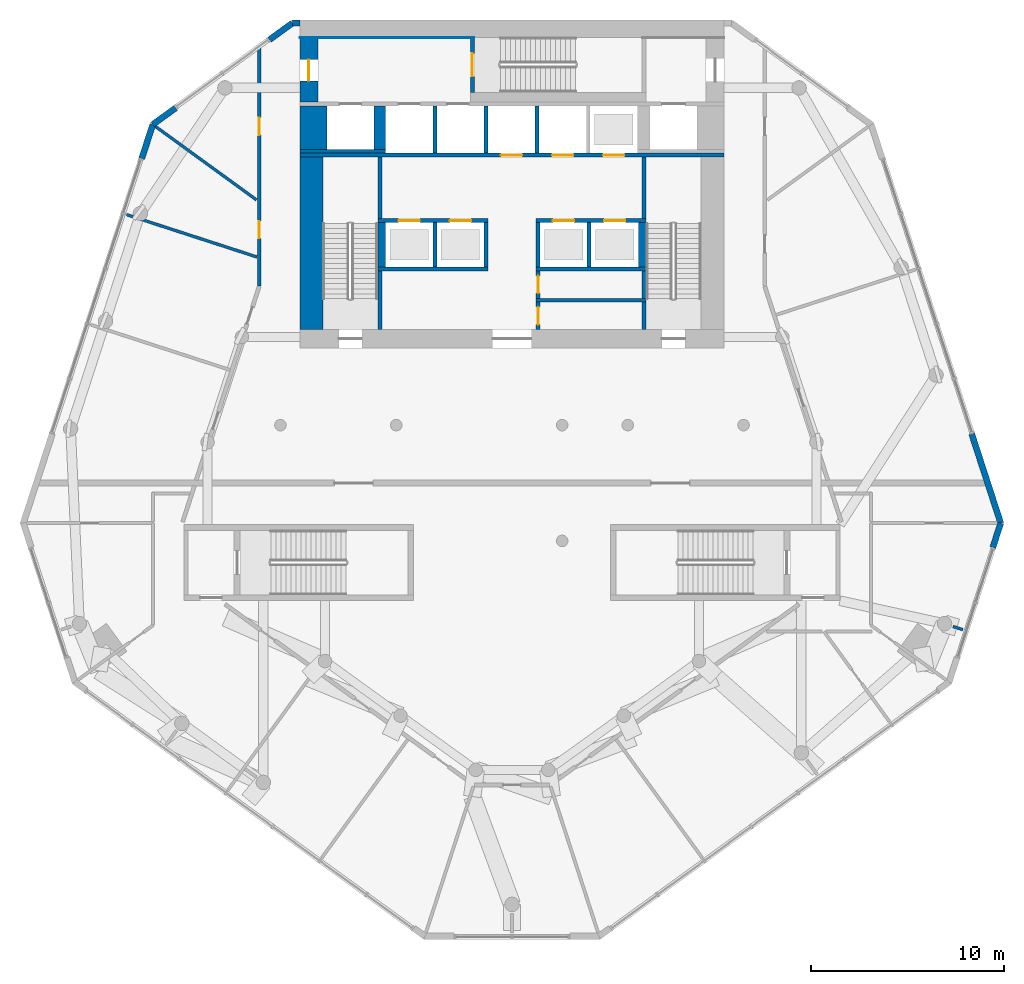
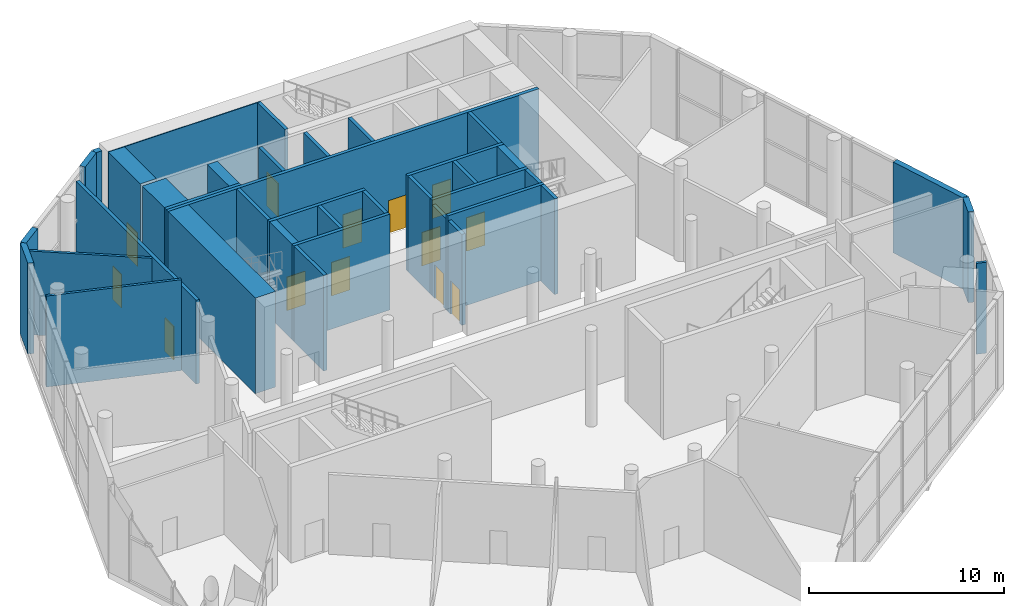
# One storey, part 9 of 14: 39 walls, 13 doors, 13 openings.
"""IFC4 building model written with IfcOpenShell, lengths in metres."""

from ifc_helpers import new_model, si_unit, direction, frame, frame_2d, origin, place, context, subcontext, project, spatial, rectangle, extrude, material, layer, layer_set, type_object, element, fill, save


model = new_model("IFC4")

# Units and contexts
model_context = context("Model", 3, precision=1e-05, world=origin(), true_north=direction((0.0, 1.0)))
body_context = subcontext(model_context, "Body", "Model", "MODEL_VIEW")
ifc_project = project(units=[si_unit("LENGTHUNIT", "METRE"), si_unit("AREAUNIT", "SQUARE_METRE"), si_unit("VOLUMEUNIT", "CUBIC_METRE"), si_unit("PLANEANGLEUNIT", "RADIAN"), si_unit("MASSUNIT", "GRAM", prefix="KILO")], contexts=[model_context])

# Site, building, storey
site_placement = place(None, origin())
site = spatial("IfcSite", under=ifc_project, at=site_placement, CompositionType="ELEMENT")
building_placement = place(site_placement, origin())
building = spatial("IfcBuilding", under=site, at=building_placement, Name="White Candle Pilgrim Tower", CompositionType="ELEMENT")
storey_placement = place(building_placement, frame((0.0, 0.0, 142.60009765625)))
storey = spatial("IfcBuildingStorey", under=building, at=storey_placement, Name="L32", CompositionType="ELEMENT", Elevation=142.60009765625)

# Walls
ifc_material_1 = material(Name="Concrete C60/75", Category="concrete")
ifc_layer_1 = layer(ifc_material_1, 1.39990234375)
ifc_layer_set_1 = layer_set([ifc_layer_1], Name="Core wall 1400 mm Concrete C60/75")
wall_type_1 = type_object("IfcWallType", Name="Core wall 1400 mm Concrete C60/75", PredefinedType="SHEAR", material=ifc_layer_set_1)
wall_1_placement = place(storey_placement, frame((59.699951171875, 81.300048828125, 0.0), z_axis=(0.0, 0.0, 1.0), x_axis=(0.0, 1.0, 0.0)))
element("IfcWall", 1, at=wall_1_placement, inside=storey, type_object=wall_type_1, Name="WL-L32-C39", PredefinedType="SHEAR", context=body_context, shape_type="SweptSolid", body=[
    extrude(rectangle(XDim=2.25, YDim=1.39990234375, at=frame_2d((1.125, 0.0))), origin(), (0.0, 0.0, 1.0), 6.0),
])
ifc_layer_2 = layer(ifc_material_1, 0.199951171875)
ifc_layer_set_2 = layer_set([ifc_layer_2], Name="Core wall 200 mm Concrete C60/75")
wall_type_2 = type_object("IfcWallType", Name="Core wall 200 mm Concrete C60/75", PredefinedType="SHEAR", material=ifc_layer_set_2)
wall_2_placement = place(storey_placement, frame((59.0, 81.199951171875, 0.0), z_axis=(0.0, 0.0, 1.0), x_axis=(1.0, 0.0, 0.0)))
element("IfcWall", 2, at=wall_2_placement, inside=storey, type_object=wall_type_2, Name="WL-L32-C33", PredefinedType="SHEAR", context=body_context, shape_type="SweptSolid", body=[
    extrude(rectangle(XDim=4.449951171875, YDim=0.199951171875, at=frame_2d((2.22509765625, 0.0))), origin(), (0.0, 0.0, 1.0), 6.0),
])

# Wall, opening, door
ifc_layer_3 = layer(ifc_material_1, 0.949951171875)
ifc_layer_set_3 = layer_set([ifc_layer_3], Name="Core wall 950 mm Concrete C60/75")
wall_type_3 = type_object("IfcWallType", Name="Core wall 950 mm Concrete C60/75", PredefinedType="SHEAR", material=ifc_layer_set_3)
wall_3_placement = place(storey_placement, frame((59.47509765625, 83.75, 0.0), z_axis=(0.0, 0.0, 1.0), x_axis=(0.0, 1.0, 0.0)))
wall_3 = element("IfcWall", 3, at=wall_3_placement, inside=storey, type_object=wall_type_3, Name="WL-L32-C44", PredefinedType="SHEAR", context=body_context, shape_type="SweptSolid", body=[
    extrude(rectangle(XDim=3.300048828125, YDim=0.949951171875, at=frame_2d((1.64990234375, 0.0))), origin(), (0.0, 0.0, 1.0), 6.0),
])
opening_1_placement = place(wall_3_placement, frame((1.10009765625, 0.0, 0.0)))
opening_1 = element("IfcOpeningElement", 4, at=opening_1_placement, cuts=wall_3, Name="Opening L32-007", PredefinedType="OPENING", context=body_context, shape_type="SweptSolid", body=[
    extrude(rectangle(XDim=1.10009765625, YDim=2.10009765625, at=frame_2d((0.550048828125, 1.050048828125))), frame((0.0, 0.48486328125, 0.0), z_axis=(0.0, -1.0, 0.0), x_axis=(1.0, 0.0, 0.0)), (0.0, 0.0, 1.0), 0.969970703125),
])
ifc_material_2 = material(Name="Steel door leaf", Category="steel")
door_type_1 = type_object("IfcDoorType", Name="Fire door 1100 x 2100 EI 60", OperationType="NOTDEFINED", PredefinedType="DOOR", material=ifc_material_2)
door_1_placement = place(opening_1_placement, origin())
door_1 = element("IfcDoor", 5, at=door_1_placement, inside=storey, type_object=door_type_1, Name="Door L32-007", OperationType="SINGLE_SWING_LEFT", OverallHeight=2.10009765625, OverallWidth=1.10009765625, PredefinedType="DOOR", context=body_context, shape_type="SweptSolid", body=[
    extrude(rectangle(XDim=1.10009765625, YDim=2.10009765625, at=frame_2d((0.550048828125, 1.050048828125))), frame((0.0, 0.02490234375, 0.0), z_axis=(0.0, -1.0, 0.0), x_axis=(1.0, 0.0, 0.0)), (0.0, 0.0, 1.0), 0.050048828125),
])
fill(opening_1, door_1)

# Wall, openings, doors
ifc_material_3 = material(Name="Gypsum board on steel studs", Category="steel")
ifc_layer_4 = layer(ifc_material_3, 0.199951171875)
ifc_layer_set_4 = layer_set([ifc_layer_4], Name="Corridor wall 200 mm EI 45")
wall_type_4 = type_object("IfcWallType", Name="Corridor wall 200 mm EI 45", PredefinedType="PARTITIONING", material=ifc_layer_set_4)
wall_4_placement = place(storey_placement, frame((56.89990234375, 74.218017578125, 0.0), z_axis=(0.0, 0.0, 1.0), x_axis=(0.0, 1.0, 0.0)))
wall_4 = element("IfcWall", 6, at=wall_4_placement, inside=storey, type_object=wall_type_4, Name="WL-L32-P002", PredefinedType="PARTITIONING", context=body_context, shape_type="SweptSolid", body=[
    extrude(rectangle(XDim=12.319091796875, YDim=0.199951171875, at=frame_2d((6.15966796875, 0.0))), origin(), (0.0, 0.0, 1.0), 5.25),
])
opening_2_placement = place(wall_4_placement, frame((7.81640625, 0.0, 0.0)))
opening_2 = element("IfcOpeningElement", 7, at=opening_2_placement, cuts=wall_4, Name="Opening L32-101", PredefinedType="OPENING", context=body_context, shape_type="SweptSolid", body=[
    extrude(rectangle(XDim=0.89990234375, YDim=2.10009765625, at=frame_2d((0.449951171875, 1.050048828125))), frame((0.0, 0.10986328125, 0.0), z_axis=(0.0, -1.0, 0.0), x_axis=(1.0, 0.0, 0.0)), (0.0, 0.0, 1.0), 0.219970703125),
])
opening_3_placement = place(wall_4_placement, frame((2.456787109375, 0.0, 0.0)))
opening_3 = element("IfcOpeningElement", 8, at=opening_3_placement, cuts=wall_4, Name="Opening L32-102", PredefinedType="OPENING", context=body_context, shape_type="SweptSolid", body=[
    extrude(rectangle(XDim=0.89990234375, YDim=2.10009765625, at=frame_2d((0.449951171875, 1.050048828125))), frame((0.0, 0.10986328125, 0.0), z_axis=(0.0, -1.0, 0.0), x_axis=(1.0, 0.0, 0.0)), (0.0, 0.0, 1.0), 0.219970703125),
])
door_type_2 = type_object("IfcDoorType", Name="Fire door 900 x 2100 EI 30", OperationType="NOTDEFINED", PredefinedType="DOOR", material=ifc_material_2)
door_2_placement = place(opening_2_placement, origin())
door_2 = element("IfcDoor", 9, at=door_2_placement, inside=storey, type_object=door_type_2, Name="Door L32-101", OperationType="SINGLE_SWING_LEFT", OverallHeight=2.10009765625, OverallWidth=0.89990234375, PredefinedType="DOOR", context=body_context, shape_type="SweptSolid", body=[
    extrude(rectangle(XDim=0.89990234375, YDim=2.10009765625, at=frame_2d((0.449951171875, 1.050048828125))), frame((0.0, 0.02490234375, 0.0), z_axis=(0.0, -1.0, 0.0), x_axis=(1.0, 0.0, 0.0)), (0.0, 0.0, 1.0), 0.050048828125),
])
fill(opening_2, door_2)
door_3_placement = place(opening_3_placement, origin())
door_3 = element("IfcDoor", 10, at=door_3_placement, inside=storey, type_object=door_type_2, Name="Door L32-102", OperationType="SINGLE_SWING_RIGHT", OverallHeight=2.10009765625, OverallWidth=0.89990234375, PredefinedType="DOOR", context=body_context, shape_type="SweptSolid", body=[
    extrude(rectangle(XDim=0.89990234375, YDim=2.10009765625, at=frame_2d((0.449951171875, 1.050048828125))), frame((0.0, 0.02490234375, 0.0), z_axis=(0.0, -1.0, 0.0), x_axis=(1.0, 0.0, 0.0)), (0.0, 0.0, 1.0), 0.050048828125),
])
fill(opening_3, door_3)

# Walls
ifc_material_4 = material(Name="Precast concrete C40/50", Category="concrete")
ifc_layer_5 = layer(ifc_material_4, 0.320068359375)
ifc_layer_set_5 = layer_set([ifc_layer_5], Name="Facade wall EW1 precast concrete C40/50 pier wall with timber-lined reveals")
wall_type_5 = type_object("IfcWallType", Name="Facade wall EW1 precast concrete C40/50 pier wall with timber-lined reveals", PredefinedType="SOLIDWALL", material=ifc_layer_set_5)
wall_5_placement = place(storey_placement, frame((94.921875, 60.6552734375, 0.0), z_axis=(0.0, 0.0, 1.0), x_axis=(0.309015617768, 0.951056963581, 0.0)))
element("IfcWall", 11, at=wall_5_placement, inside=storey, type_object=wall_type_5, Name="Facade wall L32 E chamfer", PredefinedType="SOLIDWALL", context=body_context, shape_type="SweptSolid", body=[
    extrude(rectangle(XDim=1.33203125, YDim=0.320068359375, at=frame_2d((0.666015625, 0.0))), origin(), (0.0, 0.0, 1.0), 5.699951171875),
])
wall_6_placement = place(storey_placement, frame((95.33349609375, 61.922119140625, 0.0), z_axis=(0.0, 0.0, 1.0), x_axis=(-0.309003189113, 0.951061001786, 0.0)))
element("IfcWall", 12, at=wall_6_placement, inside=storey, type_object=wall_type_5, Name="Facade wall L32 ENE", PredefinedType="SOLIDWALL", context=body_context, shape_type="SweptSolid", body=[
    extrude(rectangle(XDim=4.8623046875, YDim=0.320068359375, at=frame_2d((2.43115234375, 0.0))), origin(), (0.0, 0.0, 1.0), 5.699951171875),
])
wall_7_placement = place(storey_placement, frame((59.0, 87.840087890625, 0.0), z_axis=(0.0, 0.0, 1.0), x_axis=(-1.0, 0.0, 0.0)))
element("IfcWall", 13, at=wall_7_placement, inside=storey, type_object=wall_type_5, Name="Facade wall L32 N", PredefinedType="SOLIDWALL", context=body_context, shape_type="SweptSolid", body=[
    extrude(rectangle(XDim=0.385009765625, YDim=0.320068359375, at=frame_2d((0.1923828125, 0.0))), origin(), (0.0, 0.0, 1.0), 5.699951171875),
])
for number, where, z_axis, x_axis, name in (
    (14, (58.614990234375, 87.840087890625, 0.0), (0.0, 0.0, 1.0), (-0.809044438397, -0.587747476982, 0.0), "Facade wall L32 NW chamfer"),
    (15, (52.5703125, 83.4482421875, 0.0), (0.0, 0.0, 1.0), (-0.809044438397, -0.587747476982, 0.0), "Facade wall L32 NW chamfer"),
):
    element("IfcWall", number, at=place(storey_placement, frame(where, z_axis=z_axis, x_axis=x_axis)), inside=storey, type_object=wall_type_5, Name=name, PredefinedType="SOLIDWALL", context=body_context, shape_type="SweptSolid", body=[
        extrude(rectangle(XDim=1.4716796875, YDim=0.320068359375, at=frame_2d((0.73583984375, 0.0))), origin(), (0.0, 0.0, 1.0), 5.699951171875),
    ])
wall_8_placement = place(storey_placement, frame((51.379638671875, 82.583251953125, 0.0), z_axis=(0.0, 0.0, 1.0), x_axis=(-0.309020851273, -0.951055263104, 0.0)))
element("IfcWall", 16, at=wall_8_placement, inside=storey, type_object=wall_type_5, Name="Facade wall L32 WNW", PredefinedType="SOLIDWALL", context=body_context, shape_type="SweptSolid", body=[
    extrude(rectangle(XDim=1.862060546875, YDim=0.320068359375, at=frame_2d((0.93115234375, 0.0))), origin(), (0.0, 0.0, 1.0), 5.699951171875),
])

# Wall, opening, door
ifc_layer_6 = layer(ifc_material_3, 0.199951171875)
ifc_layer_set_6 = layer_set([ifc_layer_6], Name="Lobby wall 200 mm EI 60")
wall_type_6 = type_object("IfcWallType", Name="Lobby wall 200 mm EI 60", PredefinedType="PARTITIONING", material=ifc_layer_set_6)
wall_9_placement = place(storey_placement, frame((71.35009765625, 71.949951171875, 0.0), z_axis=(0.0, 0.0, 1.0), x_axis=(0.0, 1.0, 0.0)))
wall_9 = element("IfcWall", 17, at=wall_9_placement, inside=storey, type_object=wall_type_6, Name="WL-L32-C14", PredefinedType="PARTITIONING", context=body_context, shape_type="SweptSolid", body=[
    extrude(rectangle(XDim=1.425048828125, YDim=0.199951171875, at=frame_2d((0.71240234375, 0.0))), origin(), (0.0, 0.0, 1.0), 5.699951171875),
])
opening_4_placement = place(wall_9_placement, frame((0.262451171875, 0.0, 0.0)))
opening_4 = element("IfcOpeningElement", 18, at=opening_4_placement, cuts=wall_9, Name="Opening L32-005", PredefinedType="OPENING", context=body_context, shape_type="SweptSolid", body=[
    extrude(rectangle(XDim=0.89990234375, YDim=2.10009765625, at=frame_2d((0.449951171875, 1.050048828125))), frame((0.0, 0.10986328125, 0.0), z_axis=(0.0, -1.0, 0.0), x_axis=(1.0, 0.0, 0.0)), (0.0, 0.0, 1.0), 0.219970703125),
])
door_4_placement = place(opening_4_placement, origin())
door_4 = element("IfcDoor", 19, at=door_4_placement, inside=storey, type_object=door_type_2, Name="Door L32-005", OperationType="SINGLE_SWING_LEFT", OverallHeight=2.10009765625, OverallWidth=0.89990234375, PredefinedType="DOOR", context=body_context, shape_type="SweptSolid", body=[
    extrude(rectangle(XDim=0.89990234375, YDim=2.10009765625, at=frame_2d((0.449951171875, 1.050048828125))), frame((0.0, 0.02490234375, 0.0), z_axis=(0.0, -1.0, 0.0), x_axis=(1.0, 0.0, 0.0)), (0.0, 0.0, 1.0), 0.050048828125),
])
fill(opening_4, door_4)

wall_10_placement = place(storey_placement, frame((71.35009765625, 73.574951171875, 0.0), z_axis=(0.0, 0.0, 1.0), x_axis=(0.0, 1.0, 0.0)))
wall_10 = element("IfcWall", 20, at=wall_10_placement, inside=storey, type_object=wall_type_6, Name="WL-L32-C18", PredefinedType="PARTITIONING", context=body_context, shape_type="SweptSolid", body=[
    extrude(rectangle(XDim=1.425048828125, YDim=0.199951171875, at=frame_2d((0.71240234375, 0.0))), origin(), (0.0, 0.0, 1.0), 5.699951171875),
])
opening_5_placement = place(wall_10_placement, frame((0.262451171875, 0.0, 0.0)))
opening_5 = element("IfcOpeningElement", 21, at=opening_5_placement, cuts=wall_10, Name="Opening L32-006", PredefinedType="OPENING", context=body_context, shape_type="SweptSolid", body=[
    extrude(rectangle(XDim=0.89990234375, YDim=2.10009765625, at=frame_2d((0.449951171875, 1.050048828125))), frame((0.0, 0.10986328125, 0.0), z_axis=(0.0, -1.0, 0.0), x_axis=(1.0, 0.0, 0.0)), (0.0, 0.0, 1.0), 0.219970703125),
])
door_5_placement = place(opening_5_placement, origin())
door_5 = element("IfcDoor", 22, at=door_5_placement, inside=storey, type_object=door_type_2, Name="Door L32-006", OperationType="SINGLE_SWING_RIGHT", OverallHeight=2.10009765625, OverallWidth=0.89990234375, PredefinedType="DOOR", context=body_context, shape_type="SweptSolid", body=[
    extrude(rectangle(XDim=0.89990234375, YDim=2.10009765625, at=frame_2d((0.449951171875, 1.050048828125))), frame((0.0, 0.02490234375, 0.0), z_axis=(0.0, -1.0, 0.0), x_axis=(1.0, 0.0, 0.0)), (0.0, 0.0, 1.0), 0.050048828125),
])
fill(opening_5, door_5)

# Walls
ifc_layer_7 = layer(ifc_material_3, 0.14990234375)
ifc_layer_set_7 = layer_set([ifc_layer_7], Name="Partition 150 mm EI 60")
wall_type_7 = type_object("IfcWallType", Name="Partition 150 mm EI 60", PredefinedType="PARTITIONING", material=ifc_layer_set_7)
wall_11_placement = place(storey_placement, frame((51.515869140625, 82.484375, 0.0), z_axis=(0.0, 0.0, 1.0), x_axis=(0.80901309186, -0.587790623606, 0.0)))
element("IfcWall", 23, at=wall_11_placement, inside=storey, type_object=wall_type_7, Name="WL-L32-P011", PredefinedType="PARTITIONING", context=body_context, shape_type="SweptSolid", body=[
    extrude(rectangle(XDim=6.47705078125, YDim=0.14990234375, at=frame_2d((3.238525390625, 0.0))), origin(), (0.0, 0.0, 1.0), 5.25),
])
wall_12_placement = place(storey_placement, frame((50.029296875, 77.90966796875, 0.0), z_axis=(0.0, 0.0, 1.0), x_axis=(0.951057836712, -0.309012930519, 0.0)))
element("IfcWall", 24, at=wall_12_placement, inside=storey, type_object=wall_type_7, Name="WL-L32-P019", PredefinedType="PARTITIONING", context=body_context, shape_type="SweptSolid", body=[
    extrude(rectangle(XDim=7.0947265625, YDim=0.14990234375, at=frame_2d((3.54736328125, 0.0))), origin(), (0.0, 0.0, 1.0), 5.699951171875),
])
wall_13_placement = place(storey_placement, frame((92.861083984375, 56.56298828125, 0.0), z_axis=(0.0, 0.0, 1.0), x_axis=(0.950983778631, -0.309240768303, 0.0)))
element("IfcWall", 25, at=wall_13_placement, inside=storey, type_object=wall_type_7, Name="WL-L32-P031", PredefinedType="PARTITIONING", context=body_context, shape_type="SweptSolid", body=[
    extrude(rectangle(XDim=0.53515625, YDim=0.14990234375, at=frame_2d((0.267578125, 0.0))), origin(), (0.0, 0.0, 1.0), 5.699951171875),
])
ifc_layer_8 = layer(ifc_material_1, 0.199951171875)
ifc_layer_set_8 = layer_set([ifc_layer_8], Name="Shaft wall 200 mm Concrete C60/75")
wall_type_8 = type_object("IfcWallType", Name="Shaft wall 200 mm Concrete C60/75", PredefinedType="SHEAR", material=ifc_layer_set_8)
for number, where, z_axis, x_axis, name in (
    (26, (66.0, 75.199951171875, 0.0), (0.0, 0.0, 1.0), (0.0, 1.0, 0.0), "WL-L32-C23"),
    (27, (68.64990234375, 75.199951171875, 0.0), (0.0, 0.0, 1.0), (0.0, 1.0, 0.0), "WL-L32-C24"),
    (28, (71.35009765625, 75.199951171875, 0.0), (0.0, 0.0, 1.0), (0.0, 1.0, 0.0), "WL-L32-C25"),
    (29, (74.0, 75.199951171875, 0.0), (0.0, 0.0, 1.0), (0.0, 1.0, 0.0), "WL-L32-C26"),
):
    element("IfcWall", number, at=place(storey_placement, frame(where, z_axis=z_axis, x_axis=x_axis)), inside=storey, type_object=wall_type_8, Name=name, PredefinedType="SHEAR", context=body_context, shape_type="SweptSolid", body=[
        extrude(rectangle(XDim=2.300048828125, YDim=0.199951171875, at=frame_2d((1.14990234375, 0.0))), origin(), (0.0, 0.0, 1.0), 6.0),
    ])
for number, where, z_axis, x_axis, name in (
    (30, (66.0, 81.10009765625, 0.0), (0.0, 0.0, 1.0), (0.0, 1.0, 0.0), "WL-L32-C34"),
    (31, (68.64990234375, 81.10009765625, 0.0), (0.0, 0.0, 1.0), (0.0, 1.0, 0.0), "WL-L32-C35"),
    (32, (71.300048828125, 81.10009765625, 0.0), (0.0, 0.0, 1.0), (0.0, 1.0, 0.0), "WL-L32-C36"),
):
    element("IfcWall", number, at=place(storey_placement, frame(where, z_axis=z_axis, x_axis=x_axis)), inside=storey, type_object=wall_type_8, Name=name, PredefinedType="SHEAR", context=body_context, shape_type="SweptSolid", body=[
        extrude(rectangle(XDim=2.449951171875, YDim=0.199951171875, at=frame_2d((1.22509765625, 0.0))), origin(), (0.0, 0.0, 1.0), 6.0),
    ])
ifc_layer_9 = layer(ifc_material_1, 0.60009765625)
ifc_layer_set_9 = layer_set([ifc_layer_9], Name="Shaft wall 600 mm Concrete C60/75")
wall_type_9 = type_object("IfcWallType", Name="Shaft wall 600 mm Concrete C60/75", PredefinedType="SHEAR", material=ifc_layer_set_9)
wall_14_placement = place(storey_placement, frame((63.14990234375, 81.300048828125, 0.0), z_axis=(0.0, 0.0, 1.0), x_axis=(0.0, 1.0, 0.0)))
element("IfcWall", 33, at=wall_14_placement, inside=storey, type_object=wall_type_9, Name="WL-L32-C40", PredefinedType="SHEAR", context=body_context, shape_type="SweptSolid", body=[
    extrude(rectangle(XDim=2.25, YDim=0.60009765625, at=frame_2d((1.125, 0.0))), origin(), (0.0, 0.0, 1.0), 6.0),
])
ifc_layer_10 = layer(ifc_material_1, 1.199951171875)
ifc_layer_set_10 = layer_set([ifc_layer_10], Name="Stair shaft wall 1200 mm Concrete C60/75")
wall_type_10 = type_object("IfcWallType", Name="Stair shaft wall 1200 mm Concrete C60/75", PredefinedType="SHEAR", material=ifc_layer_set_10)
wall_15_placement = place(storey_placement, frame((59.60009765625, 71.949951171875, 0.0), z_axis=(0.0, 0.0, 1.0), x_axis=(0.0, 1.0, 0.0)))
element("IfcWall", 34, at=wall_15_placement, inside=storey, type_object=wall_type_10, Name="WL-L32-C12", PredefinedType="SHEAR", context=body_context, shape_type="SweptSolid", body=[
    extrude(rectangle(XDim=8.949951171875, YDim=1.199951171875, at=frame_2d((4.47509765625, 0.0))), origin(), (0.0, 0.0, 1.0), 6.0),
])
ifc_layer_11 = layer(ifc_material_1, 0.199951171875)
ifc_layer_set_11 = layer_set([ifc_layer_11], Name="Stair shaft wall 200 mm Concrete C60/75")
wall_type_11 = type_object("IfcWallType", Name="Stair shaft wall 200 mm Concrete C60/75", PredefinedType="SHEAR", material=ifc_layer_set_11)
wall_16_placement = place(storey_placement, frame((63.14990234375, 71.949951171875, 0.0), z_axis=(0.0, 0.0, 1.0), x_axis=(0.0, 1.0, 0.0)))
element("IfcWall", 35, at=wall_16_placement, inside=storey, type_object=wall_type_11, Name="WL-L32-C13", PredefinedType="SHEAR", context=body_context, shape_type="SweptSolid", body=[
    extrude(rectangle(XDim=3.050048828125, YDim=0.199951171875, at=frame_2d((1.52490234375, 0.0))), origin(), (0.0, 0.0, 1.0), 6.0),
])
wall_17_placement = place(storey_placement, frame((76.85009765625, 71.949951171875, 0.0), z_axis=(0.0, 0.0, 1.0), x_axis=(0.0, 1.0, 0.0)))
element("IfcWall", 36, at=wall_17_placement, inside=storey, type_object=wall_type_11, Name="WL-L32-C15", PredefinedType="SHEAR", context=body_context, shape_type="SweptSolid", body=[
    extrude(rectangle(XDim=1.425048828125, YDim=0.199951171875, at=frame_2d((0.71240234375, 0.0))), origin(), (0.0, 0.0, 1.0), 6.0),
])
wall_18_placement = place(storey_placement, frame((71.25, 73.47509765625, 0.0), z_axis=(0.0, 0.0, 1.0), x_axis=(1.0, 0.0, 0.0)))
element("IfcWall", 37, at=wall_18_placement, inside=storey, type_object=wall_type_11, Name="WL-L32-C17", PredefinedType="SHEAR", context=body_context, shape_type="SweptSolid", body=[
    extrude(rectangle(XDim=5.699951171875, YDim=0.199951171875, at=frame_2d((2.85009765625, 0.0))), origin(), (0.0, 0.0, 1.0), 6.0),
])
wall_19_placement = place(storey_placement, frame((76.85009765625, 73.574951171875, 0.0), z_axis=(0.0, 0.0, 1.0), x_axis=(0.0, 1.0, 0.0)))
element("IfcWall", 38, at=wall_19_placement, inside=storey, type_object=wall_type_11, Name="WL-L32-C19", PredefinedType="SHEAR", context=body_context, shape_type="SweptSolid", body=[
    extrude(rectangle(XDim=1.425048828125, YDim=0.199951171875, at=frame_2d((0.71240234375, 0.0))), origin(), (0.0, 0.0, 1.0), 6.0),
])
for number, where, z_axis, x_axis, name in (
    (39, (63.050048828125, 75.10009765625, 0.0), (0.0, 0.0, 1.0), (1.0, 0.0, 0.0), "WL-L32-C20"),
    (40, (71.25, 75.10009765625, 0.0), (0.0, 0.0, 1.0), (1.0, 0.0, 0.0), "WL-L32-C21"),
):
    element("IfcWall", number, at=place(storey_placement, frame(where, z_axis=z_axis, x_axis=x_axis)), inside=storey, type_object=wall_type_11, Name=name, PredefinedType="SHEAR", context=body_context, shape_type="SweptSolid", body=[
        extrude(rectangle(XDim=5.699951171875, YDim=0.199951171875, at=frame_2d((2.85009765625, 0.0))), origin(), (0.0, 0.0, 1.0), 6.0),
    ])

# Wall, openings, doors
wall_20_placement = place(storey_placement, frame((63.050048828125, 77.60009765625, 0.0), z_axis=(0.0, 0.0, 1.0), x_axis=(1.0, 0.0, 0.0)))
wall_20 = element("IfcWall", 41, at=wall_20_placement, inside=storey, type_object=wall_type_11, Name="WL-L32-C28", PredefinedType="SHEAR", context=body_context, shape_type="SweptSolid", body=[
    extrude(rectangle(XDim=5.699951171875, YDim=0.199951171875, at=frame_2d((2.85009765625, 0.0))), origin(), (0.0, 0.0, 1.0), 6.0),
])
opening_6_placement = place(wall_20_placement, frame((1.074951171875, 0.0, 0.0)))
opening_6 = element("IfcOpeningElement", 42, at=opening_6_placement, cuts=wall_20, Name="Opening L32-013", PredefinedType="OPENING", context=body_context, shape_type="SweptSolid", body=[
    extrude(rectangle(XDim=1.10009765625, YDim=2.10009765625, at=frame_2d((0.550048828125, 1.050048828125))), frame((0.0, 0.10986328125, 0.0), z_axis=(0.0, -1.0, 0.0), x_axis=(1.0, 0.0, 0.0)), (0.0, 0.0, 1.0), 0.219970703125),
])
opening_7_placement = place(wall_20_placement, frame((3.72509765625, 0.0, 0.0)))
opening_7 = element("IfcOpeningElement", 43, at=opening_7_placement, cuts=wall_20, Name="Opening L32-014", PredefinedType="OPENING", context=body_context, shape_type="SweptSolid", body=[
    extrude(rectangle(XDim=1.10009765625, YDim=2.10009765625, at=frame_2d((0.550048828125, 1.050048828125))), frame((0.0, 0.10986328125, 0.0), z_axis=(0.0, -1.0, 0.0), x_axis=(1.0, 0.0, 0.0)), (0.0, 0.0, 1.0), 0.219970703125),
])
ifc_material_5 = material(Name="Stainless steel", Category="steel")
door_type_3 = type_object("IfcDoorType", Name="Lift landing door 1100 x 2100 E 60", OperationType="DOUBLE_DOOR_SLIDING", PredefinedType="DOOR", material=ifc_material_5)
door_6_placement = place(opening_6_placement, origin())
door_6 = element("IfcDoor", 44, at=door_6_placement, inside=storey, type_object=door_type_3, Name="Door L32-013", OperationType="DOUBLE_DOOR_SLIDING", OverallHeight=2.10009765625, OverallWidth=1.10009765625, PredefinedType="DOOR", context=body_context, shape_type="SweptSolid", body=[
    extrude(rectangle(XDim=1.10009765625, YDim=2.10009765625, at=frame_2d((0.550048828125, 1.050048828125))), frame((0.0, 0.02490234375, 0.0), z_axis=(0.0, -1.0, 0.0), x_axis=(1.0, 0.0, 0.0)), (0.0, 0.0, 1.0), 0.050048828125),
])
fill(opening_6, door_6)
door_7_placement = place(opening_7_placement, origin())
door_7 = element("IfcDoor", 45, at=door_7_placement, inside=storey, type_object=door_type_3, Name="Door L32-014", OperationType="DOUBLE_DOOR_SLIDING", OverallHeight=2.10009765625, OverallWidth=1.10009765625, PredefinedType="DOOR", context=body_context, shape_type="SweptSolid", body=[
    extrude(rectangle(XDim=1.10009765625, YDim=2.10009765625, at=frame_2d((0.550048828125, 1.050048828125))), frame((0.0, 0.02490234375, 0.0), z_axis=(0.0, -1.0, 0.0), x_axis=(1.0, 0.0, 0.0)), (0.0, 0.0, 1.0), 0.050048828125),
])
fill(opening_7, door_7)

wall_21_placement = place(storey_placement, frame((71.25, 77.60009765625, 0.0), z_axis=(0.0, 0.0, 1.0), x_axis=(1.0, 0.0, 0.0)))
wall_21 = element("IfcWall", 46, at=wall_21_placement, inside=storey, type_object=wall_type_11, Name="WL-L32-C29", PredefinedType="SHEAR", context=body_context, shape_type="SweptSolid", body=[
    extrude(rectangle(XDim=5.699951171875, YDim=0.199951171875, at=frame_2d((2.85009765625, 0.0))), origin(), (0.0, 0.0, 1.0), 6.0),
])
opening_8_placement = place(wall_21_placement, frame((0.875, 0.0, 0.0)))
opening_8 = element("IfcOpeningElement", 47, at=opening_8_placement, cuts=wall_21, Name="Opening L32-015", PredefinedType="OPENING", context=body_context, shape_type="SweptSolid", body=[
    extrude(rectangle(XDim=1.10009765625, YDim=2.10009765625, at=frame_2d((0.550048828125, 1.050048828125))), frame((0.0, 0.10986328125, 0.0), z_axis=(0.0, -1.0, 0.0), x_axis=(1.0, 0.0, 0.0)), (0.0, 0.0, 1.0), 0.219970703125),
])
opening_9_placement = place(wall_21_placement, frame((3.52490234375, 0.0, 0.0)))
opening_9 = element("IfcOpeningElement", 48, at=opening_9_placement, cuts=wall_21, Name="Opening L32-016", PredefinedType="OPENING", context=body_context, shape_type="SweptSolid", body=[
    extrude(rectangle(XDim=1.10009765625, YDim=2.10009765625, at=frame_2d((0.550048828125, 1.050048828125))), frame((0.0, 0.10986328125, 0.0), z_axis=(0.0, -1.0, 0.0), x_axis=(1.0, 0.0, 0.0)), (0.0, 0.0, 1.0), 0.219970703125),
])
door_8_placement = place(opening_8_placement, origin())
door_8 = element("IfcDoor", 49, at=door_8_placement, inside=storey, type_object=door_type_3, Name="Door L32-015", OperationType="DOUBLE_DOOR_SLIDING", OverallHeight=2.10009765625, OverallWidth=1.10009765625, PredefinedType="DOOR", context=body_context, shape_type="SweptSolid", body=[
    extrude(rectangle(XDim=1.10009765625, YDim=2.10009765625, at=frame_2d((0.550048828125, 1.050048828125))), frame((0.0, 0.02490234375, 0.0), z_axis=(0.0, -1.0, 0.0), x_axis=(1.0, 0.0, 0.0)), (0.0, 0.0, 1.0), 0.050048828125),
])
fill(opening_8, door_8)
door_9_placement = place(opening_9_placement, origin())
door_9 = element("IfcDoor", 50, at=door_9_placement, inside=storey, type_object=door_type_3, Name="Door L32-016", OperationType="DOUBLE_DOOR_SLIDING", OverallHeight=2.10009765625, OverallWidth=1.10009765625, PredefinedType="DOOR", context=body_context, shape_type="SweptSolid", body=[
    extrude(rectangle(XDim=1.10009765625, YDim=2.10009765625, at=frame_2d((0.550048828125, 1.050048828125))), frame((0.0, 0.02490234375, 0.0), z_axis=(0.0, -1.0, 0.0), x_axis=(1.0, 0.0, 0.0)), (0.0, 0.0, 1.0), 0.050048828125),
])
fill(opening_9, door_9)

# Walls
for number, where, z_axis, x_axis, name in (
    (51, (63.14990234375, 77.699951171875, 0.0), (0.0, 0.0, 1.0), (0.0, 1.0, 0.0), "WL-L32-C30"),
    (52, (76.85009765625, 77.699951171875, 0.0), (0.0, 0.0, 1.0), (0.0, 1.0, 0.0), "WL-L32-C31"),
):
    element("IfcWall", number, at=place(storey_placement, frame(where, z_axis=z_axis, x_axis=x_axis)), inside=storey, type_object=wall_type_11, Name=name, PredefinedType="SHEAR", context=body_context, shape_type="SweptSolid", body=[
        extrude(rectangle(XDim=3.199951171875, YDim=0.199951171875, at=frame_2d((1.60009765625, 0.0))), origin(), (0.0, 0.0, 1.0), 6.0),
    ])

# Wall, openings, doors
wall_22_placement = place(storey_placement, frame((59.0, 81.0, 0.0), z_axis=(0.0, 0.0, 1.0), x_axis=(1.0, 0.0, 0.0)))
wall_22 = element("IfcWall", 53, at=wall_22_placement, inside=storey, type_object=wall_type_11, Name="WL-L32-C32", PredefinedType="SHEAR", context=body_context, shape_type="SweptSolid", body=[
    extrude(rectangle(XDim=22.0, YDim=0.199951171875, at=frame_2d((11.0, 0.0))), origin(), (0.0, 0.0, 1.0), 6.0),
])
opening_10_placement = place(wall_22_placement, frame((10.425048828125, 0.0, 0.0)))
opening_10 = element("IfcOpeningElement", 54, at=opening_10_placement, cuts=wall_22, Name="Opening L32-019", PredefinedType="OPENING", context=body_context, shape_type="SweptSolid", body=[
    extrude(rectangle(XDim=1.10009765625, YDim=2.10009765625, at=frame_2d((0.550048828125, 1.050048828125))), frame((0.0, 0.10986328125, 0.0), z_axis=(0.0, -1.0, 0.0), x_axis=(1.0, 0.0, 0.0)), (0.0, 0.0, 1.0), 0.219970703125),
])
opening_11_placement = place(wall_22_placement, frame((13.074951171875, 0.0, 0.0)))
opening_11 = element("IfcOpeningElement", 55, at=opening_11_placement, cuts=wall_22, Name="Opening L32-020", PredefinedType="OPENING", context=body_context, shape_type="SweptSolid", body=[
    extrude(rectangle(XDim=1.10009765625, YDim=2.10009765625, at=frame_2d((0.550048828125, 1.050048828125))), frame((0.0, 0.10986328125, 0.0), z_axis=(0.0, -1.0, 0.0), x_axis=(1.0, 0.0, 0.0)), (0.0, 0.0, 1.0), 0.219970703125),
])
opening_12_placement = place(wall_22_placement, frame((15.72509765625, 0.0, 0.0)))
opening_12 = element("IfcOpeningElement", 56, at=opening_12_placement, cuts=wall_22, Name="Opening L32-021", PredefinedType="OPENING", context=body_context, shape_type="SweptSolid", body=[
    extrude(rectangle(XDim=1.10009765625, YDim=2.10009765625, at=frame_2d((0.550048828125, 1.050048828125))), frame((0.0, 0.10986328125, 0.0), z_axis=(0.0, -1.0, 0.0), x_axis=(1.0, 0.0, 0.0)), (0.0, 0.0, 1.0), 0.219970703125),
])
door_10_placement = place(opening_10_placement, origin())
door_10 = element("IfcDoor", 57, at=door_10_placement, inside=storey, type_object=door_type_3, Name="Door L32-019", OperationType="DOUBLE_DOOR_SLIDING", OverallHeight=2.10009765625, OverallWidth=1.10009765625, PredefinedType="DOOR", context=body_context, shape_type="SweptSolid", body=[
    extrude(rectangle(XDim=1.10009765625, YDim=2.10009765625, at=frame_2d((0.550048828125, 1.050048828125))), frame((0.0, 0.02490234375, 0.0), z_axis=(0.0, -1.0, 0.0), x_axis=(1.0, 0.0, 0.0)), (0.0, 0.0, 1.0), 0.050048828125),
])
fill(opening_10, door_10)
door_11_placement = place(opening_11_placement, origin())
door_11 = element("IfcDoor", 58, at=door_11_placement, inside=storey, type_object=door_type_3, Name="Door L32-020", OperationType="DOUBLE_DOOR_SLIDING", OverallHeight=2.10009765625, OverallWidth=1.10009765625, PredefinedType="DOOR", context=body_context, shape_type="SweptSolid", body=[
    extrude(rectangle(XDim=1.10009765625, YDim=2.10009765625, at=frame_2d((0.550048828125, 1.050048828125))), frame((0.0, 0.02490234375, 0.0), z_axis=(0.0, -1.0, 0.0), x_axis=(1.0, 0.0, 0.0)), (0.0, 0.0, 1.0), 0.050048828125),
])
fill(opening_11, door_11)
door_12_placement = place(opening_12_placement, origin())
door_12 = element("IfcDoor", 59, at=door_12_placement, inside=storey, type_object=door_type_3, Name="Door L32-021", OperationType="DOUBLE_DOOR_SLIDING", OverallHeight=2.10009765625, OverallWidth=1.10009765625, PredefinedType="DOOR", context=body_context, shape_type="SweptSolid", body=[
    extrude(rectangle(XDim=1.10009765625, YDim=2.10009765625, at=frame_2d((0.550048828125, 1.050048828125))), frame((0.0, 0.02490234375, 0.0), z_axis=(0.0, -1.0, 0.0), x_axis=(1.0, 0.0, 0.0)), (0.0, 0.0, 1.0), 0.050048828125),
])
fill(opening_12, door_12)

# Wall, opening, door
wall_23_placement = place(storey_placement, frame((67.949951171875, 84.25, 0.0), z_axis=(0.0, 0.0, 1.0), x_axis=(0.0, 1.0, 0.0)))
wall_23 = element("IfcWall", 60, at=wall_23_placement, inside=storey, type_object=wall_type_11, Name="WL-L32-C47", PredefinedType="SHEAR", context=body_context, shape_type="SweptSolid", body=[
    extrude(rectangle(XDim=2.800048828125, YDim=0.199951171875, at=frame_2d((1.39990234375, 0.0))), origin(), (0.0, 0.0, 1.0), 6.0),
])
opening_13_placement = place(wall_23_placement, frame((0.824951171875, 0.0, 0.0)))
opening_13 = element("IfcOpeningElement", 61, at=opening_13_placement, cuts=wall_23, Name="Opening L32-003", PredefinedType="OPENING", context=body_context, shape_type="SweptSolid", body=[
    extrude(rectangle(XDim=1.199951171875, YDim=2.10009765625, at=frame_2d((0.60009765625, 1.050048828125))), frame((0.0, 0.10986328125, 0.0), z_axis=(0.0, -1.0, 0.0), x_axis=(1.0, 0.0, 0.0)), (0.0, 0.0, 1.0), 0.219970703125),
])
door_type_4 = type_object("IfcDoorType", Name="Fire door 1200 x 2100 EI 60", OperationType="NOTDEFINED", PredefinedType="DOOR", material=ifc_material_2)
door_13_placement = place(opening_13_placement, frame((1.199951171875, 0.0, 0.0), z_axis=(0.0, 0.0, 1.0), x_axis=(-1.0, 0.0, 0.0)))
door_13 = element("IfcDoor", 62, at=door_13_placement, inside=storey, type_object=door_type_4, Name="Door L32-003", OperationType="SINGLE_SWING_RIGHT", OverallHeight=2.10009765625, OverallWidth=1.199951171875, PredefinedType="DOOR", context=body_context, shape_type="SweptSolid", body=[
    extrude(rectangle(XDim=1.199951171875, YDim=2.10009765625, at=frame_2d((0.60009765625, 1.050048828125))), frame((0.0, 0.02490234375, 0.0), z_axis=(0.0, -1.0, 0.0), x_axis=(1.0, 0.0, 0.0)), (0.0, 0.0, 1.0), 0.050048828125),
])
fill(opening_13, door_13)

# Walls
ifc_layer_12 = layer(ifc_material_1, 0.39990234375)
ifc_layer_set_12 = layer_set([ifc_layer_12], Name="Stair shaft wall 400 mm Concrete C60/75")
wall_type_12 = type_object("IfcWallType", Name="Stair shaft wall 400 mm Concrete C60/75", PredefinedType="SHEAR", material=ifc_layer_set_12)
for number, where, z_axis, x_axis, name in (
    (63, (63.25, 75.199951171875, 0.0), (0.0, 0.0, 1.0), (0.0, 1.0, 0.0), "WL-L32-C22"),
    (64, (76.75, 75.199951171875, 0.0), (0.0, 0.0, 1.0), (0.0, 1.0, 0.0), "WL-L32-C27"),
):
    element("IfcWall", number, at=place(storey_placement, frame(where, z_axis=z_axis, x_axis=x_axis)), inside=storey, type_object=wall_type_12, Name=name, PredefinedType="SHEAR", context=body_context, shape_type="SweptSolid", body=[
        extrude(rectangle(XDim=2.300048828125, YDim=0.39990234375, at=frame_2d((1.14990234375, 0.0))), origin(), (0.0, 0.0, 1.0), 6.0),
    ])
ifc_layer_13 = layer(ifc_material_1, 0.050048828125)
ifc_layer_set_13 = layer_set([ifc_layer_13], Name="Stair shaft wall 50 mm Concrete C60/75")
wall_type_13 = type_object("IfcWallType", Name="Stair shaft wall 50 mm Concrete C60/75", PredefinedType="SHEAR", material=ifc_layer_set_13)
wall_24_placement = place(storey_placement, frame((59.0, 87.074951171875, 0.0), z_axis=(0.0, 0.0, 1.0), x_axis=(1.0, 0.0, 0.0)))
element("IfcWall", 65, at=wall_24_placement, inside=storey, type_object=wall_type_13, Name="WL-L32-C49", PredefinedType="SHEAR", context=body_context, shape_type="SweptSolid", body=[
    extrude(rectangle(XDim=9.050048828125, YDim=0.050048828125, at=frame_2d((4.52490234375, 0.0))), origin(), (0.0, 0.0, 1.0), 6.0),
])

save(model, "model.ifc")
